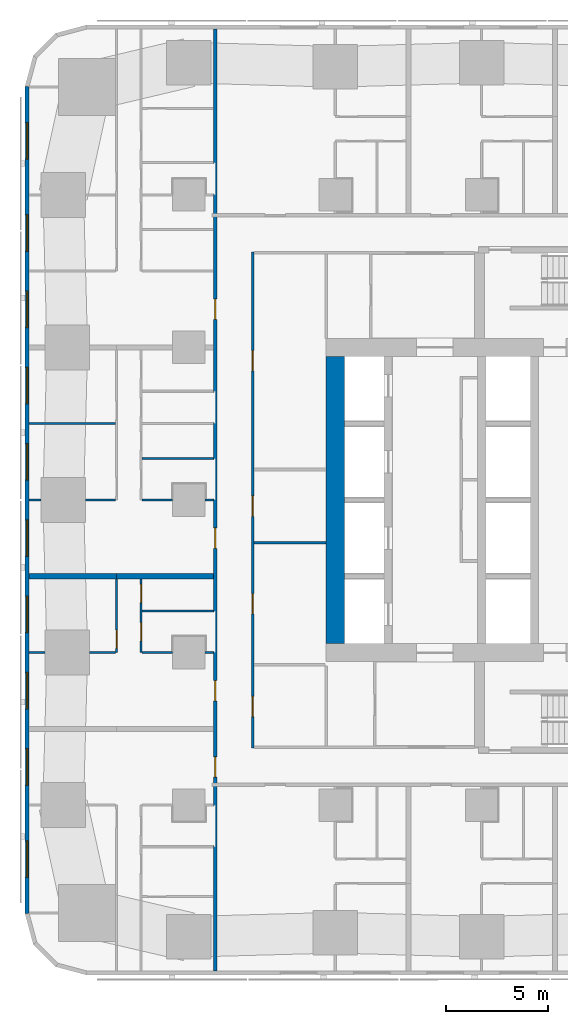
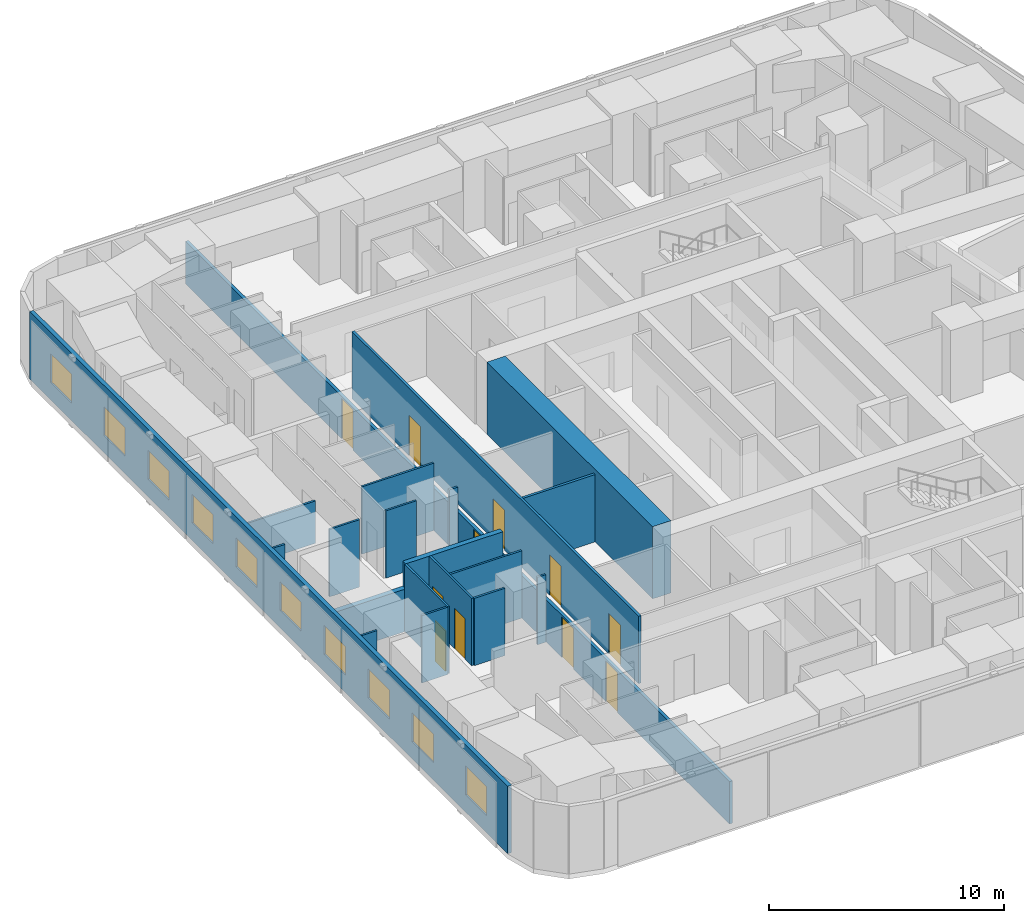
# One storey, part 5 of 16: 20 walls, 11 doors, 10 windows, 21 openings.
"""IFC4 building model written with IfcOpenShell, lengths in metres."""

from ifc_helpers import new_model, si_unit, direction, frame, frame_2d, origin, place, context, subcontext, project, spatial, rectangle, extrude, material, layer, layer_set, type_object, element, fill, save


model = new_model("IFC4")

# Units and contexts
model_context = context("Model", 3, precision=1e-05, world=origin(), true_north=direction((0.0, 1.0)))
body_context = subcontext(model_context, "Body", "Model", "MODEL_VIEW")
ifc_project = project(units=[si_unit("LENGTHUNIT", "METRE"), si_unit("AREAUNIT", "SQUARE_METRE"), si_unit("VOLUMEUNIT", "CUBIC_METRE"), si_unit("PLANEANGLEUNIT", "RADIAN"), si_unit("MASSUNIT", "GRAM", prefix="KILO")], contexts=[model_context])

# Site, building, storey
site_placement = place(None, origin())
site = spatial("IfcSite", under=ifc_project, at=site_placement, CompositionType="ELEMENT")
building_placement = place(site_placement, origin())
building = spatial("IfcBuilding", under=site, at=building_placement, Name="Sheger Commons Tower", CompositionType="ELEMENT")
storey_placement = place(building_placement, frame((0.0, 0.0, 89.14990234375)))
storey = spatial("IfcBuildingStorey", under=building, at=storey_placement, Name="L22", CompositionType="ELEMENT", Elevation=89.14990234375)

# Wall
ifc_material_1 = material(Name="Concrete C50/60", Category="concrete")
ifc_layer_1 = layer(ifc_material_1, 0.89990234375)
ifc_layer_set_1 = layer_set([ifc_layer_1], Name="CORE WALL 900")
wall_type_1 = type_object("IfcWallType", Name="CORE WALL 900", PredefinedType="SHEAR", material=ifc_layer_set_1)
wall_1_placement = place(storey_placement, frame((14.39990234375, 15.449951171875, 0.0), z_axis=(0.0, 0.0, 1.0), x_axis=(0.0, 1.0, 0.0)))
element("IfcWall", 1, at=wall_1_placement, inside=storey, type_object=wall_type_1, Name="Core wall west L22", PredefinedType="SHEAR", context=body_context, shape_type="SweptSolid", body=[
    extrude(rectangle(XDim=14.10009765625, YDim=0.89990234375, at=frame_2d((7.050048828125, 0.0))), origin(), (0.0, 0.0, 1.0), 3.75),
])

# Wall, openings, doors
ifc_material_2 = material(Name="Hollow concrete block masonry, skimmed both sides", Category="masonry")
ifc_layer_2 = layer(ifc_material_2, 0.14990234375)
ifc_layer_set_2 = layer_set([ifc_layer_2], Name="CORRIDOR WALL 150")
wall_type_2 = type_object("IfcWallType", Name="CORRIDOR WALL 150", PredefinedType="SOLIDWALL", material=ifc_layer_set_2)
wall_2_placement = place(storey_placement, frame((8.5, -0.64990234375, 0.0), z_axis=(0.0, 0.0, 1.0), x_axis=(0.0, 1.0, 0.0)))
wall_2 = element("IfcWall", 2, at=wall_2_placement, inside=storey, type_object=wall_type_2, Name="Corridor wall L22", PredefinedType="SOLIDWALL", context=body_context, shape_type="SweptSolid", body=[
    extrude(rectangle(XDim=46.2998046875, YDim=0.14990234375, at=frame_2d((23.14990234375, 0.0))), origin(), (0.0, 0.0, 1.0), 2.2001953125),
])
opening_1_placement = place(wall_2_placement, frame((9.52490234375, 0.0, 0.0)))
opening_1 = element("IfcOpeningElement", 3, at=opening_1_placement, cuts=wall_2, Name="Opening D1", PredefinedType="OPENING", context=body_context, shape_type="SweptSolid", body=[
    extrude(rectangle(XDim=1.0, YDim=2.10009765625, at=frame_2d((0.5, 1.050048828125))), frame((0.0, 0.0849609375, 0.0), z_axis=(0.0, -1.0, 0.0), x_axis=(1.0, 0.0, 0.0)), (0.0, 0.0, 1.0), 0.169921875),
])
opening_2_placement = place(wall_2_placement, frame((13.27490234375, 0.0, 0.0)))
opening_2 = element("IfcOpeningElement", 4, at=opening_2_placement, cuts=wall_2, Name="Opening D1", PredefinedType="OPENING", context=body_context, shape_type="SweptSolid", body=[
    extrude(rectangle(XDim=1.0, YDim=2.10009765625, at=frame_2d((0.5, 1.050048828125))), frame((0.0, 0.0849609375, 0.0), z_axis=(0.0, -1.0, 0.0), x_axis=(1.0, 0.0, 0.0)), (0.0, 0.0, 1.0), 0.169921875),
])
opening_3_placement = place(wall_2_placement, frame((20.77490234375, 0.0, 0.0)))
opening_3 = element("IfcOpeningElement", 5, at=opening_3_placement, cuts=wall_2, Name="Opening D1", PredefinedType="OPENING", context=body_context, shape_type="SweptSolid", body=[
    extrude(rectangle(XDim=1.0, YDim=2.10009765625, at=frame_2d((0.5, 1.050048828125))), frame((0.0, 0.0849609375, 0.0), z_axis=(0.0, -1.0, 0.0), x_axis=(1.0, 0.0, 0.0)), (0.0, 0.0, 1.0), 0.169921875),
])
opening_4_placement = place(wall_2_placement, frame((32.02490234375, 0.0, 0.0)))
opening_4 = element("IfcOpeningElement", 6, at=opening_4_placement, cuts=wall_2, Name="Opening D1", PredefinedType="OPENING", context=body_context, shape_type="SweptSolid", body=[
    extrude(rectangle(XDim=1.0, YDim=2.10009765625, at=frame_2d((0.5, 1.050048828125))), frame((0.0, 0.0849609375, 0.0), z_axis=(0.0, -1.0, 0.0), x_axis=(1.0, 0.0, 0.0)), (0.0, 0.0, 1.0), 0.169921875),
])
ifc_material_3 = material(Name="Steel door set, fire rated", Category="steel")
door_type_1 = type_object("IfcDoorType", Name="FLAT ENTRANCE DOOR 1000x2100", OperationType="NOTDEFINED", PredefinedType="DOOR", material=ifc_material_3)
door_1_placement = place(opening_1_placement, origin())
door_1 = element("IfcDoor", 7, at=door_1_placement, inside=storey, type_object=door_type_1, Name="Flat entrance door", OperationType="SINGLE_SWING_LEFT", OverallHeight=2.10009765625, OverallWidth=1.0, PredefinedType="DOOR", context=body_context, shape_type="SweptSolid", body=[
    extrude(rectangle(XDim=1.0, YDim=2.10009765625, at=frame_2d((0.5, 1.050048828125))), frame((0.0, 0.02490234375, 0.0), z_axis=(0.0, -1.0, 0.0), x_axis=(1.0, 0.0, 0.0)), (0.0, 0.0, 1.0), 0.050048828125),
])
fill(opening_1, door_1)
door_2_placement = place(opening_2_placement, origin())
door_2 = element("IfcDoor", 8, at=door_2_placement, inside=storey, type_object=door_type_1, Name="Flat entrance door", OperationType="SINGLE_SWING_RIGHT", OverallHeight=2.10009765625, OverallWidth=1.0, PredefinedType="DOOR", context=body_context, shape_type="SweptSolid", body=[
    extrude(rectangle(XDim=1.0, YDim=2.10009765625, at=frame_2d((0.5, 1.050048828125))), frame((0.0, 0.02490234375, 0.0), z_axis=(0.0, -1.0, 0.0), x_axis=(1.0, 0.0, 0.0)), (0.0, 0.0, 1.0), 0.050048828125),
])
fill(opening_2, door_2)
door_3_placement = place(opening_3_placement, origin())
door_3 = element("IfcDoor", 9, at=door_3_placement, inside=storey, type_object=door_type_1, Name="Flat entrance door", OperationType="SINGLE_SWING_LEFT", OverallHeight=2.10009765625, OverallWidth=1.0, PredefinedType="DOOR", context=body_context, shape_type="SweptSolid", body=[
    extrude(rectangle(XDim=1.0, YDim=2.10009765625, at=frame_2d((0.5, 1.050048828125))), frame((0.0, 0.02490234375, 0.0), z_axis=(0.0, -1.0, 0.0), x_axis=(1.0, 0.0, 0.0)), (0.0, 0.0, 1.0), 0.050048828125),
])
fill(opening_3, door_3)
door_4_placement = place(opening_4_placement, origin())
door_4 = element("IfcDoor", 10, at=door_4_placement, inside=storey, type_object=door_type_1, Name="Flat entrance door", OperationType="SINGLE_SWING_RIGHT", OverallHeight=2.10009765625, OverallWidth=1.0, PredefinedType="DOOR", context=body_context, shape_type="SweptSolid", body=[
    extrude(rectangle(XDim=1.0, YDim=2.10009765625, at=frame_2d((0.5, 1.050048828125))), frame((0.0, 0.02490234375, 0.0), z_axis=(0.0, -1.0, 0.0), x_axis=(1.0, 0.0, 0.0)), (0.0, 0.0, 1.0), 0.050048828125),
])
fill(opening_4, door_4)

# Walls
ifc_material_4 = material(Name="Dense concrete block masonry, plastered both sides (separating wall between flats)", Category="masonry")
ifc_layer_3 = layer(ifc_material_4, 0.25)
ifc_layer_set_3 = layer_set([ifc_layer_3], Name="DEMISING WALL 250")
wall_type_3 = type_object("IfcWallType", Name="DEMISING WALL 250", PredefinedType="SOLIDWALL", material=ifc_layer_set_3)
wall_3_placement = place(storey_placement, frame((-0.64990234375, 18.75, 0.0), z_axis=(0.0, 0.0, 1.0), x_axis=(1.0, 0.0, 0.0)))
element("IfcWall", 11, at=wall_3_placement, inside=storey, type_object=wall_type_3, Name="Demising wall L22", PredefinedType="SOLIDWALL", context=body_context, shape_type="SweptSolid", body=[
    extrude(rectangle(XDim=4.2998046875, YDim=0.25, at=frame_2d((2.14990234375, 0.0))), origin(), (0.0, 0.0, 1.0), 2.2001953125),
])
wall_4_placement = place(storey_placement, frame((3.64990234375, 18.75, 0.0), z_axis=(0.0, 0.0, 1.0), x_axis=(1.0, 0.0, 0.0)))
element("IfcWall", 12, at=wall_4_placement, inside=storey, type_object=wall_type_3, Name="Demising wall L22", PredefinedType="SOLIDWALL", context=body_context, shape_type="SweptSolid", body=[
    extrude(rectangle(XDim=4.775146484375, YDim=0.25, at=frame_2d((2.3876953125, 0.0))), origin(), (0.0, 0.0, 1.0), 3.5),
])

# Wall, openings, windows
ifc_material_5 = material(Name="Rendered concrete block masonry, dark grey", Category="masonry")
ifc_layer_4 = layer(ifc_material_5, 0.199951171875)
ifc_layer_set_4 = layer_set([ifc_layer_4], Name="FACADE WALL 200")
wall_type_4 = type_object("IfcWallType", Name="FACADE WALL 200", PredefinedType="SOLIDWALL", material=ifc_layer_set_4)
wall_5_placement = place(storey_placement, frame((-0.75, 42.8369140625, 0.0), z_axis=(0.0, 0.0, 1.0), x_axis=(0.0, -1.0, 0.0)))
wall_5 = element("IfcWall", 13, at=wall_5_placement, inside=storey, type_object=wall_type_4, Name="Facade wall L22", PredefinedType="SOLIDWALL", context=body_context, shape_type="SweptSolid", body=[
    extrude(rectangle(XDim=40.673828125, YDim=0.199951171875, at=frame_2d((20.3369140625, 0.0))), origin(), (0.0, 0.0, 1.0), 3.5),
])
opening_5_placement = place(wall_5_placement, frame((1.780029296875, 0.0, 0.89990234375)))
opening_5 = element("IfcOpeningElement", 14, at=opening_5_placement, cuts=wall_5, Name="Opening W2", PredefinedType="OPENING", context=body_context, shape_type="SweptSolid", body=[
    extrude(rectangle(XDim=1.800048828125, YDim=1.5, at=frame_2d((0.89990234375, 0.75))), frame((0.0, 0.10986328125, 0.0), z_axis=(0.0, -1.0, 0.0), x_axis=(1.0, 0.0, 0.0)), (0.0, 0.0, 1.0), 0.219970703125),
])
opening_6_placement = place(wall_5_placement, frame((6.31201171875, 0.0, 0.89990234375)))
opening_6 = element("IfcOpeningElement", 15, at=opening_6_placement, cuts=wall_5, Name="Opening W2", PredefinedType="OPENING", context=body_context, shape_type="SweptSolid", body=[
    extrude(rectangle(XDim=1.800048828125, YDim=1.5, at=frame_2d((0.89990234375, 0.75))), frame((0.0, 0.10986328125, 0.0), z_axis=(0.0, -1.0, 0.0), x_axis=(1.0, 0.0, 0.0)), (0.0, 0.0, 1.0), 0.219970703125),
])
opening_7_placement = place(wall_5_placement, frame((10.06201171875, 0.0, 0.89990234375)))
opening_7 = element("IfcOpeningElement", 16, at=opening_7_placement, cuts=wall_5, Name="Opening W2", PredefinedType="OPENING", context=body_context, shape_type="SweptSolid", body=[
    extrude(rectangle(XDim=1.800048828125, YDim=1.5, at=frame_2d((0.89990234375, 0.75))), frame((0.0, 0.10986328125, 0.0), z_axis=(0.0, -1.0, 0.0), x_axis=(1.0, 0.0, 0.0)), (0.0, 0.0, 1.0), 0.219970703125),
])
opening_8_placement = place(wall_5_placement, frame((13.81201171875, 0.0, 0.89990234375)))
opening_8 = element("IfcOpeningElement", 17, at=opening_8_placement, cuts=wall_5, Name="Opening W2", PredefinedType="OPENING", context=body_context, shape_type="SweptSolid", body=[
    extrude(rectangle(XDim=1.800048828125, YDim=1.5, at=frame_2d((0.89990234375, 0.75))), frame((0.0, 0.10986328125, 0.0), z_axis=(0.0, -1.0, 0.0), x_axis=(1.0, 0.0, 0.0)), (0.0, 0.0, 1.0), 0.219970703125),
])
opening_9_placement = place(wall_5_placement, frame((17.56201171875, 0.0, 0.89990234375)))
opening_9 = element("IfcOpeningElement", 18, at=opening_9_placement, cuts=wall_5, Name="Opening W2", PredefinedType="OPENING", context=body_context, shape_type="SweptSolid", body=[
    extrude(rectangle(XDim=1.800048828125, YDim=1.5, at=frame_2d((0.89990234375, 0.75))), frame((0.0, 0.10986328125, 0.0), z_axis=(0.0, -1.0, 0.0), x_axis=(1.0, 0.0, 0.0)), (0.0, 0.0, 1.0), 0.219970703125),
])
opening_10_placement = place(wall_5_placement, frame((21.31201171875, 0.0, 0.89990234375)))
opening_10 = element("IfcOpeningElement", 19, at=opening_10_placement, cuts=wall_5, Name="Opening W2", PredefinedType="OPENING", context=body_context, shape_type="SweptSolid", body=[
    extrude(rectangle(XDim=1.800048828125, YDim=1.5, at=frame_2d((0.89990234375, 0.75))), frame((0.0, 0.10986328125, 0.0), z_axis=(0.0, -1.0, 0.0), x_axis=(1.0, 0.0, 0.0)), (0.0, 0.0, 1.0), 0.219970703125),
])
opening_11_placement = place(wall_5_placement, frame((25.06201171875, 0.0, 0.89990234375)))
opening_11 = element("IfcOpeningElement", 20, at=opening_11_placement, cuts=wall_5, Name="Opening W2", PredefinedType="OPENING", context=body_context, shape_type="SweptSolid", body=[
    extrude(rectangle(XDim=1.800048828125, YDim=1.5, at=frame_2d((0.89990234375, 0.75))), frame((0.0, 0.10986328125, 0.0), z_axis=(0.0, -1.0, 0.0), x_axis=(1.0, 0.0, 0.0)), (0.0, 0.0, 1.0), 0.219970703125),
])
opening_12_placement = place(wall_5_placement, frame((28.81201171875, 0.0, 0.89990234375)))
opening_12 = element("IfcOpeningElement", 21, at=opening_12_placement, cuts=wall_5, Name="Opening W2", PredefinedType="OPENING", context=body_context, shape_type="SweptSolid", body=[
    extrude(rectangle(XDim=1.800048828125, YDim=1.5, at=frame_2d((0.89990234375, 0.75))), frame((0.0, 0.10986328125, 0.0), z_axis=(0.0, -1.0, 0.0), x_axis=(1.0, 0.0, 0.0)), (0.0, 0.0, 1.0), 0.219970703125),
])
opening_13_placement = place(wall_5_placement, frame((32.56201171875, 0.0, 0.89990234375)))
opening_13 = element("IfcOpeningElement", 22, at=opening_13_placement, cuts=wall_5, Name="Opening W2", PredefinedType="OPENING", context=body_context, shape_type="SweptSolid", body=[
    extrude(rectangle(XDim=1.800048828125, YDim=1.5, at=frame_2d((0.89990234375, 0.75))), frame((0.0, 0.10986328125, 0.0), z_axis=(0.0, -1.0, 0.0), x_axis=(1.0, 0.0, 0.0)), (0.0, 0.0, 1.0), 0.219970703125),
])
opening_14_placement = place(wall_5_placement, frame((37.093994140625, 0.0, 0.89990234375)))
opening_14 = element("IfcOpeningElement", 23, at=opening_14_placement, cuts=wall_5, Name="Opening W2", PredefinedType="OPENING", context=body_context, shape_type="SweptSolid", body=[
    extrude(rectangle(XDim=1.800048828125, YDim=1.5, at=frame_2d((0.89990234375, 0.75))), frame((0.0, 0.10986328125, 0.0), z_axis=(0.0, -1.0, 0.0), x_axis=(1.0, 0.0, 0.0)), (0.0, 0.0, 1.0), 0.219970703125),
])
ifc_material_6 = material(Name="Black aluminium frame, dark tinted double glazing", Category="aluminium")
window_type = type_object("IfcWindowType", Name="WINDOW W2 1800x1500", PartitioningType="SINGLE_PANEL", PredefinedType="WINDOW", material=ifc_material_6)
window_1_placement = place(opening_5_placement, origin())
window_1 = element("IfcWindow", 24, at=window_1_placement, inside=storey, type_object=window_type, Name="Window W2 1800X1500", OverallHeight=1.5, OverallWidth=1.800048828125, PartitioningType="SINGLE_PANEL", PredefinedType="WINDOW", context=body_context, shape_type="SweptSolid", body=[
    extrude(rectangle(XDim=1.800048828125, YDim=1.5, at=frame_2d((0.89990234375, 0.75))), frame((0.0, 0.030029296875, 0.0), z_axis=(0.0, -1.0, 0.0), x_axis=(1.0, 0.0, 0.0)), (0.0, 0.0, 1.0), 0.06005859375),
])
fill(opening_5, window_1)
window_2_placement = place(opening_6_placement, origin())
window_2 = element("IfcWindow", 25, at=window_2_placement, inside=storey, type_object=window_type, Name="Window W2 1800X1500", OverallHeight=1.5, OverallWidth=1.800048828125, PartitioningType="SINGLE_PANEL", PredefinedType="WINDOW", context=body_context, shape_type="SweptSolid", body=[
    extrude(rectangle(XDim=1.800048828125, YDim=1.5, at=frame_2d((0.89990234375, 0.75))), frame((0.0, 0.030029296875, 0.0), z_axis=(0.0, -1.0, 0.0), x_axis=(1.0, 0.0, 0.0)), (0.0, 0.0, 1.0), 0.06005859375),
])
fill(opening_6, window_2)
window_3_placement = place(opening_7_placement, origin())
window_3 = element("IfcWindow", 26, at=window_3_placement, inside=storey, type_object=window_type, Name="Window W2 1800X1500", OverallHeight=1.5, OverallWidth=1.800048828125, PartitioningType="SINGLE_PANEL", PredefinedType="WINDOW", context=body_context, shape_type="SweptSolid", body=[
    extrude(rectangle(XDim=1.800048828125, YDim=1.5, at=frame_2d((0.89990234375, 0.75))), frame((0.0, 0.030029296875, 0.0), z_axis=(0.0, -1.0, 0.0), x_axis=(1.0, 0.0, 0.0)), (0.0, 0.0, 1.0), 0.06005859375),
])
fill(opening_7, window_3)
window_4_placement = place(opening_8_placement, origin())
window_4 = element("IfcWindow", 27, at=window_4_placement, inside=storey, type_object=window_type, Name="Window W2 1800X1500", OverallHeight=1.5, OverallWidth=1.800048828125, PartitioningType="SINGLE_PANEL", PredefinedType="WINDOW", context=body_context, shape_type="SweptSolid", body=[
    extrude(rectangle(XDim=1.800048828125, YDim=1.5, at=frame_2d((0.89990234375, 0.75))), frame((0.0, 0.030029296875, 0.0), z_axis=(0.0, -1.0, 0.0), x_axis=(1.0, 0.0, 0.0)), (0.0, 0.0, 1.0), 0.06005859375),
])
fill(opening_8, window_4)
window_5_placement = place(opening_9_placement, origin())
window_5 = element("IfcWindow", 28, at=window_5_placement, inside=storey, type_object=window_type, Name="Window W2 1800X1500", OverallHeight=1.5, OverallWidth=1.800048828125, PartitioningType="SINGLE_PANEL", PredefinedType="WINDOW", context=body_context, shape_type="SweptSolid", body=[
    extrude(rectangle(XDim=1.800048828125, YDim=1.5, at=frame_2d((0.89990234375, 0.75))), frame((0.0, 0.030029296875, 0.0), z_axis=(0.0, -1.0, 0.0), x_axis=(1.0, 0.0, 0.0)), (0.0, 0.0, 1.0), 0.06005859375),
])
fill(opening_9, window_5)
window_6_placement = place(opening_10_placement, origin())
window_6 = element("IfcWindow", 29, at=window_6_placement, inside=storey, type_object=window_type, Name="Window W2 1800X1500", OverallHeight=1.5, OverallWidth=1.800048828125, PartitioningType="SINGLE_PANEL", PredefinedType="WINDOW", context=body_context, shape_type="SweptSolid", body=[
    extrude(rectangle(XDim=1.800048828125, YDim=1.5, at=frame_2d((0.89990234375, 0.75))), frame((0.0, 0.030029296875, 0.0), z_axis=(0.0, -1.0, 0.0), x_axis=(1.0, 0.0, 0.0)), (0.0, 0.0, 1.0), 0.06005859375),
])
fill(opening_10, window_6)
window_7_placement = place(opening_11_placement, origin())
window_7 = element("IfcWindow", 30, at=window_7_placement, inside=storey, type_object=window_type, Name="Window W2 1800X1500", OverallHeight=1.5, OverallWidth=1.800048828125, PartitioningType="SINGLE_PANEL", PredefinedType="WINDOW", context=body_context, shape_type="SweptSolid", body=[
    extrude(rectangle(XDim=1.800048828125, YDim=1.5, at=frame_2d((0.89990234375, 0.75))), frame((0.0, 0.030029296875, 0.0), z_axis=(0.0, -1.0, 0.0), x_axis=(1.0, 0.0, 0.0)), (0.0, 0.0, 1.0), 0.06005859375),
])
fill(opening_11, window_7)
window_8_placement = place(opening_12_placement, origin())
window_8 = element("IfcWindow", 31, at=window_8_placement, inside=storey, type_object=window_type, Name="Window W2 1800X1500", OverallHeight=1.5, OverallWidth=1.800048828125, PartitioningType="SINGLE_PANEL", PredefinedType="WINDOW", context=body_context, shape_type="SweptSolid", body=[
    extrude(rectangle(XDim=1.800048828125, YDim=1.5, at=frame_2d((0.89990234375, 0.75))), frame((0.0, 0.030029296875, 0.0), z_axis=(0.0, -1.0, 0.0), x_axis=(1.0, 0.0, 0.0)), (0.0, 0.0, 1.0), 0.06005859375),
])
fill(opening_12, window_8)
window_9_placement = place(opening_13_placement, origin())
window_9 = element("IfcWindow", 32, at=window_9_placement, inside=storey, type_object=window_type, Name="Window W2 1800X1500", OverallHeight=1.5, OverallWidth=1.800048828125, PartitioningType="SINGLE_PANEL", PredefinedType="WINDOW", context=body_context, shape_type="SweptSolid", body=[
    extrude(rectangle(XDim=1.800048828125, YDim=1.5, at=frame_2d((0.89990234375, 0.75))), frame((0.0, 0.030029296875, 0.0), z_axis=(0.0, -1.0, 0.0), x_axis=(1.0, 0.0, 0.0)), (0.0, 0.0, 1.0), 0.06005859375),
])
fill(opening_13, window_9)
window_10_placement = place(opening_14_placement, origin())
window_10 = element("IfcWindow", 33, at=window_10_placement, inside=storey, type_object=window_type, Name="Window W2 1800X1500", OverallHeight=1.5, OverallWidth=1.800048828125, PartitioningType="SINGLE_PANEL", PredefinedType="WINDOW", context=body_context, shape_type="SweptSolid", body=[
    extrude(rectangle(XDim=1.800048828125, YDim=1.5, at=frame_2d((0.89990234375, 0.75))), frame((0.0, 0.030029296875, 0.0), z_axis=(0.0, -1.0, 0.0), x_axis=(1.0, 0.0, 0.0)), (0.0, 0.0, 1.0), 0.06005859375),
])
fill(opening_14, window_10)

# Wall, opening, door
ifc_material_7 = material(Name="Gypsum board on steel studs", Category="steel")
ifc_layer_5 = layer(ifc_material_7, 0.10009765625)
ifc_layer_set_5 = layer_set([ifc_layer_5], Name="PARTITION 100")
wall_type_5 = type_object("IfcWallType", Name="PARTITION 100", PredefinedType="PARTITIONING", material=ifc_layer_set_5)
wall_6_placement = place(storey_placement, frame((3.64990234375, 15.0, 0.0), z_axis=(0.0, 0.0, 1.0), x_axis=(0.0, 1.0, 0.0)))
wall_6 = element("IfcWall", 34, at=wall_6_placement, inside=storey, type_object=wall_type_5, Name="Partition L22", PredefinedType="PARTITIONING", context=body_context, shape_type="SweptSolid", body=[
    extrude(rectangle(XDim=3.625, YDim=0.10009765625, at=frame_2d((1.8125, 0.0))), origin(), (0.0, 0.0, 1.0), 3.5),
])
opening_15_placement = place(wall_6_placement, frame((0.199951171875, 0.0, 0.0)))
opening_15 = element("IfcOpeningElement", 35, at=opening_15_placement, cuts=wall_6, Name="Opening D2", PredefinedType="OPENING", context=body_context, shape_type="SweptSolid", body=[
    extrude(rectangle(XDim=0.89990234375, YDim=2.10009765625, at=frame_2d((0.449951171875, 1.050048828125))), frame((0.0, 0.06005859375, 0.0), z_axis=(0.0, -1.0, 0.0), x_axis=(1.0, 0.0, 0.0)), (0.0, 0.0, 1.0), 0.1201171875),
])
ifc_material_8 = material(Name="Timber door set", Category="wood")
door_type_2 = type_object("IfcDoorType", Name="INTERNAL DOOR 900x2100", OperationType="NOTDEFINED", PredefinedType="DOOR", material=ifc_material_8)
door_5_placement = place(opening_15_placement, origin())
door_5 = element("IfcDoor", 36, at=door_5_placement, inside=storey, type_object=door_type_2, Name="Main bedroom door", OperationType="SINGLE_SWING_LEFT", OverallHeight=2.10009765625, OverallWidth=0.89990234375, PredefinedType="DOOR", context=body_context, shape_type="SweptSolid", body=[
    extrude(rectangle(XDim=0.89990234375, YDim=2.10009765625, at=frame_2d((0.449951171875, 1.050048828125))), frame((0.0, 0.02490234375, 0.0), z_axis=(0.0, -1.0, 0.0), x_axis=(1.0, 0.0, 0.0)), (0.0, 0.0, 1.0), 0.050048828125),
])
fill(opening_15, door_5)

# Wall, openings, doors
wall_7_placement = place(storey_placement, frame((4.85009765625, 15.0, 0.0), z_axis=(0.0, 0.0, 1.0), x_axis=(0.0, 1.0, 0.0)))
wall_7 = element("IfcWall", 37, at=wall_7_placement, inside=storey, type_object=wall_type_5, Name="Partition L22", PredefinedType="PARTITIONING", context=body_context, shape_type="SweptSolid", body=[
    extrude(rectangle(XDim=3.625, YDim=0.10009765625, at=frame_2d((1.8125, 0.0))), origin(), (0.0, 0.0, 1.0), 3.5),
])
opening_16_placement = place(wall_7_placement, frame((0.574951171875, 0.0, 0.0)))
opening_16 = element("IfcOpeningElement", 38, at=opening_16_placement, cuts=wall_7, Name="Opening D2", PredefinedType="OPENING", context=body_context, shape_type="SweptSolid", body=[
    extrude(rectangle(XDim=0.89990234375, YDim=2.10009765625, at=frame_2d((0.449951171875, 1.050048828125))), frame((0.0, 0.06005859375, 0.0), z_axis=(0.0, -1.0, 0.0), x_axis=(1.0, 0.0, 0.0)), (0.0, 0.0, 1.0), 0.1201171875),
])
opening_17_placement = place(wall_7_placement, frame((2.449951171875, 0.0, 0.0)))
opening_17 = element("IfcOpeningElement", 39, at=opening_17_placement, cuts=wall_7, Name="Opening D2", PredefinedType="OPENING", context=body_context, shape_type="SweptSolid", body=[
    extrude(rectangle(XDim=0.89990234375, YDim=2.10009765625, at=frame_2d((0.449951171875, 1.050048828125))), frame((0.0, 0.06005859375, 0.0), z_axis=(0.0, -1.0, 0.0), x_axis=(1.0, 0.0, 0.0)), (0.0, 0.0, 1.0), 0.1201171875),
])
door_6_placement = place(opening_16_placement, origin())
door_6 = element("IfcDoor", 40, at=door_6_placement, inside=storey, type_object=door_type_2, Name="Bathroom door", OperationType="SINGLE_SWING_RIGHT", OverallHeight=2.10009765625, OverallWidth=0.89990234375, PredefinedType="DOOR", context=body_context, shape_type="SweptSolid", body=[
    extrude(rectangle(XDim=0.89990234375, YDim=2.10009765625, at=frame_2d((0.449951171875, 1.050048828125))), frame((0.0, 0.02490234375, 0.0), z_axis=(0.0, -1.0, 0.0), x_axis=(1.0, 0.0, 0.0)), (0.0, 0.0, 1.0), 0.050048828125),
])
fill(opening_16, door_6)
door_7_placement = place(opening_17_placement, origin())
door_7 = element("IfcDoor", 41, at=door_7_placement, inside=storey, type_object=door_type_2, Name="Store door", OperationType="SINGLE_SWING_LEFT", OverallHeight=2.10009765625, OverallWidth=0.89990234375, PredefinedType="DOOR", context=body_context, shape_type="SweptSolid", body=[
    extrude(rectangle(XDim=0.89990234375, YDim=2.10009765625, at=frame_2d((0.449951171875, 1.050048828125))), frame((0.0, 0.02490234375, 0.0), z_axis=(0.0, -1.0, 0.0), x_axis=(1.0, 0.0, 0.0)), (0.0, 0.0, 1.0), 0.050048828125),
])
fill(opening_17, door_7)

# Walls
wall_8_placement = place(storey_placement, frame((-0.64990234375, 15.0, 0.0), z_axis=(0.0, 0.0, 1.0), x_axis=(1.0, 0.0, 0.0)))
element("IfcWall", 42, at=wall_8_placement, inside=storey, type_object=wall_type_5, Name="Partition L22", PredefinedType="PARTITIONING", context=body_context, shape_type="SweptSolid", body=[
    extrude(rectangle(XDim=0.77392578125, YDim=0.10009765625, at=frame_2d((0.386962890625, 0.0))), origin(), (0.0, 0.0, 1.0), 3.5),
])
wall_9_placement = place(storey_placement, frame((2.325927734375, 15.0, 0.0), z_axis=(0.0, 0.0, 1.0), x_axis=(1.0, 0.0, 0.0)))
element("IfcWall", 43, at=wall_9_placement, inside=storey, type_object=wall_type_5, Name="Partition L22", PredefinedType="PARTITIONING", context=body_context, shape_type="SweptSolid", body=[
    extrude(rectangle(XDim=1.274169921875, YDim=0.10009765625, at=frame_2d((0.63720703125, 0.0))), origin(), (0.0, 0.0, 1.0), 3.5),
])
wall_10_placement = place(storey_placement, frame((4.89990234375, 15.0, 0.0), z_axis=(0.0, 0.0, 1.0), x_axis=(1.0, 0.0, 0.0)))
element("IfcWall", 44, at=wall_10_placement, inside=storey, type_object=wall_type_5, Name="Partition L22", PredefinedType="PARTITIONING", context=body_context, shape_type="SweptSolid", body=[
    extrude(rectangle(XDim=1.4990234375, YDim=0.10009765625, at=frame_2d((0.74951171875, 0.0))), origin(), (0.0, 0.0, 1.0), 3.5),
])
wall_11_placement = place(storey_placement, frame((8.0009765625, 15.0, 0.0), z_axis=(0.0, 0.0, 1.0), x_axis=(1.0, 0.0, 0.0)))
element("IfcWall", 45, at=wall_11_placement, inside=storey, type_object=wall_type_5, Name="Partition L22", PredefinedType="PARTITIONING", context=body_context, shape_type="SweptSolid", body=[
    extrude(rectangle(XDim=0.424072265625, YDim=0.10009765625, at=frame_2d((0.2119140625, 0.0))), origin(), (0.0, 0.0, 1.0), 3.5),
])
wall_12_placement = place(storey_placement, frame((4.89990234375, 17.050048828125, 0.0), z_axis=(0.0, 0.0, 1.0), x_axis=(1.0, 0.0, 0.0)))
element("IfcWall", 46, at=wall_12_placement, inside=storey, type_object=wall_type_5, Name="Partition L22", PredefinedType="PARTITIONING", context=body_context, shape_type="SweptSolid", body=[
    extrude(rectangle(XDim=3.525146484375, YDim=0.10009765625, at=frame_2d((1.7626953125, 0.0))), origin(), (0.0, 0.0, 1.0), 3.5),
])
wall_13_placement = place(storey_placement, frame((-0.64990234375, 22.5, 0.0), z_axis=(0.0, 0.0, 1.0), x_axis=(1.0, 0.0, 0.0)))
element("IfcWall", 47, at=wall_13_placement, inside=storey, type_object=wall_type_5, Name="Partition L22", PredefinedType="PARTITIONING", context=body_context, shape_type="SweptSolid", body=[
    extrude(rectangle(XDim=0.573974609375, YDim=0.10009765625, at=frame_2d((0.287109375, 0.0))), origin(), (0.0, 0.0, 1.0), 3.5),
])
wall_14_placement = place(storey_placement, frame((2.1259765625, 22.5, 0.0), z_axis=(0.0, 0.0, 1.0), x_axis=(1.0, 0.0, 0.0)))
element("IfcWall", 48, at=wall_14_placement, inside=storey, type_object=wall_type_5, Name="Partition L22", PredefinedType="PARTITIONING", context=body_context, shape_type="SweptSolid", body=[
    extrude(rectangle(XDim=1.47412109375, YDim=0.10009765625, at=frame_2d((0.737060546875, 0.0))), origin(), (0.0, 0.0, 1.0), 3.5),
])
wall_15_placement = place(storey_placement, frame((-0.64990234375, 26.25, 0.0), z_axis=(0.0, 0.0, 1.0), x_axis=(1.0, 0.0, 0.0)))
element("IfcWall", 49, at=wall_15_placement, inside=storey, type_object=wall_type_5, Name="Partition L22", PredefinedType="PARTITIONING", context=body_context, shape_type="SweptSolid", body=[
    extrude(rectangle(XDim=4.25, YDim=0.10009765625, at=frame_2d((2.125, 0.0))), origin(), (0.0, 0.0, 1.0), 2.2001953125),
])
wall_16_placement = place(storey_placement, frame((4.89990234375, 22.5, 0.0), z_axis=(0.0, 0.0, 1.0), x_axis=(1.0, 0.0, 0.0)))
element("IfcWall", 50, at=wall_16_placement, inside=storey, type_object=wall_type_5, Name="Partition L22", PredefinedType="PARTITIONING", context=body_context, shape_type="SweptSolid", body=[
    extrude(rectangle(XDim=1.4990234375, YDim=0.10009765625, at=frame_2d((0.74951171875, 0.0))), origin(), (0.0, 0.0, 1.0), 3.5),
])
wall_17_placement = place(storey_placement, frame((8.0009765625, 22.5, 0.0), z_axis=(0.0, 0.0, 1.0), x_axis=(1.0, 0.0, 0.0)))
element("IfcWall", 51, at=wall_17_placement, inside=storey, type_object=wall_type_5, Name="Partition L22", PredefinedType="PARTITIONING", context=body_context, shape_type="SweptSolid", body=[
    extrude(rectangle(XDim=0.424072265625, YDim=0.10009765625, at=frame_2d((0.2119140625, 0.0))), origin(), (0.0, 0.0, 1.0), 3.5),
])
wall_18_placement = place(storey_placement, frame((4.89990234375, 24.550048828125, 0.0), z_axis=(0.0, 0.0, 1.0), x_axis=(1.0, 0.0, 0.0)))
element("IfcWall", 52, at=wall_18_placement, inside=storey, type_object=wall_type_5, Name="Partition L22", PredefinedType="PARTITIONING", context=body_context, shape_type="SweptSolid", body=[
    extrude(rectangle(XDim=3.525146484375, YDim=0.10009765625, at=frame_2d((1.7626953125, 0.0))), origin(), (0.0, 0.0, 1.0), 3.5),
])

# Wall, openings, doors
ifc_material_9 = material(Name="Gypsum board on steel studs, two layers each side, fire rated", Category="steel")
ifc_layer_6 = layer(ifc_material_9, 0.125)
ifc_layer_set_6 = layer_set([ifc_layer_6], Name="SERVICE WALL 125")
wall_type_6 = type_object("IfcWallType", Name="SERVICE WALL 125", PredefinedType="PARTITIONING", material=ifc_layer_set_6)
wall_19_placement = place(storey_placement, frame((10.35009765625, 10.300048828125, 0.0), z_axis=(0.0, 0.0, 1.0), x_axis=(0.0, 1.0, 0.0)))
wall_19 = element("IfcWall", 53, at=wall_19_placement, inside=storey, type_object=wall_type_6, Name="Service room wall L22", PredefinedType="PARTITIONING", context=body_context, shape_type="SweptSolid", body=[
    extrude(rectangle(XDim=24.39990234375, YDim=0.125, at=frame_2d((12.199951171875, 0.0))), origin(), (0.0, 0.0, 1.0), 3.5),
])
opening_18_placement = place(wall_19_placement, frame((1.550048828125, 0.0, 0.0)))
opening_18 = element("IfcOpeningElement", 54, at=opening_18_placement, cuts=wall_19, Name="Opening D4", PredefinedType="OPENING", context=body_context, shape_type="SweptSolid", body=[
    extrude(rectangle(XDim=1.0, YDim=2.10009765625, at=frame_2d((0.5, 1.050048828125))), frame((0.0, 0.072509765625, 0.0), z_axis=(0.0, -1.0, 0.0), x_axis=(1.0, 0.0, 0.0)), (0.0, 0.0, 1.0), 0.14501953125),
])
opening_19_placement = place(wall_19_placement, frame((6.60009765625, 0.0, 0.0)))
opening_19 = element("IfcOpeningElement", 55, at=opening_19_placement, cuts=wall_19, Name="Opening D4", PredefinedType="OPENING", context=body_context, shape_type="SweptSolid", body=[
    extrude(rectangle(XDim=1.0, YDim=2.10009765625, at=frame_2d((0.5, 1.050048828125))), frame((0.0, 0.072509765625, 0.0), z_axis=(0.0, -1.0, 0.0), x_axis=(1.0, 0.0, 0.0)), (0.0, 0.0, 1.0), 0.14501953125),
])
opening_20_placement = place(wall_19_placement, frame((11.39990234375, 0.0, 0.0)))
opening_20 = element("IfcOpeningElement", 56, at=opening_20_placement, cuts=wall_19, Name="Opening D4", PredefinedType="OPENING", context=body_context, shape_type="SweptSolid", body=[
    extrude(rectangle(XDim=1.0, YDim=2.10009765625, at=frame_2d((0.5, 1.050048828125))), frame((0.0, 0.072509765625, 0.0), z_axis=(0.0, -1.0, 0.0), x_axis=(1.0, 0.0, 0.0)), (0.0, 0.0, 1.0), 0.14501953125),
])
opening_21_placement = place(wall_19_placement, frame((18.550048828125, 0.0, 0.0)))
opening_21 = element("IfcOpeningElement", 57, at=opening_21_placement, cuts=wall_19, Name="Opening D4", PredefinedType="OPENING", context=body_context, shape_type="SweptSolid", body=[
    extrude(rectangle(XDim=1.0, YDim=2.10009765625, at=frame_2d((0.5, 1.050048828125))), frame((0.0, 0.072509765625, 0.0), z_axis=(0.0, -1.0, 0.0), x_axis=(1.0, 0.0, 0.0)), (0.0, 0.0, 1.0), 0.14501953125),
])
ifc_material_10 = material(Name="Steel door set, fire rated", Category="steel")
door_type_3 = type_object("IfcDoorType", Name="SERVICE DOOR 1000x2100", OperationType="NOTDEFINED", PredefinedType="DOOR", material=ifc_material_10)
door_8_placement = place(opening_18_placement, origin())
door_8 = element("IfcDoor", 58, at=door_8_placement, inside=storey, type_object=door_type_3, Name="Refuse chute room door", OperationType="SINGLE_SWING_RIGHT", OverallHeight=2.10009765625, OverallWidth=1.0, PredefinedType="DOOR", context=body_context, shape_type="SweptSolid", body=[
    extrude(rectangle(XDim=1.0, YDim=2.10009765625, at=frame_2d((0.5, 1.050048828125))), frame((0.0, 0.02490234375, 0.0), z_axis=(0.0, -1.0, 0.0), x_axis=(1.0, 0.0, 0.0)), (0.0, 0.0, 1.0), 0.050048828125),
])
fill(opening_18, door_8)
door_9_placement = place(opening_19_placement, origin())
door_9 = element("IfcDoor", 59, at=door_9_placement, inside=storey, type_object=door_type_3, Name="Parcel and delivery room door", OperationType="SINGLE_SWING_LEFT", OverallHeight=2.10009765625, OverallWidth=1.0, PredefinedType="DOOR", context=body_context, shape_type="SweptSolid", body=[
    extrude(rectangle(XDim=1.0, YDim=2.10009765625, at=frame_2d((0.5, 1.050048828125))), frame((0.0, 0.02490234375, 0.0), z_axis=(0.0, -1.0, 0.0), x_axis=(1.0, 0.0, 0.0)), (0.0, 0.0, 1.0), 0.050048828125),
])
fill(opening_19, door_9)
door_10_placement = place(opening_20_placement, origin())
door_10 = element("IfcDoor", 60, at=door_10_placement, inside=storey, type_object=door_type_3, Name="Cleaner's store door", OperationType="SINGLE_SWING_LEFT", OverallHeight=2.10009765625, OverallWidth=1.0, PredefinedType="DOOR", context=body_context, shape_type="SweptSolid", body=[
    extrude(rectangle(XDim=1.0, YDim=2.10009765625, at=frame_2d((0.5, 1.050048828125))), frame((0.0, 0.02490234375, 0.0), z_axis=(0.0, -1.0, 0.0), x_axis=(1.0, 0.0, 0.0)), (0.0, 0.0, 1.0), 0.050048828125),
])
fill(opening_20, door_10)
door_11_placement = place(opening_21_placement, origin())
door_11 = element("IfcDoor", 61, at=door_11_placement, inside=storey, type_object=door_type_3, Name="Residents' gym door", OperationType="SINGLE_SWING_LEFT", OverallHeight=2.10009765625, OverallWidth=1.0, PredefinedType="DOOR", context=body_context, shape_type="SweptSolid", body=[
    extrude(rectangle(XDim=1.0, YDim=2.10009765625, at=frame_2d((0.5, 1.050048828125))), frame((0.0, 0.02490234375, 0.0), z_axis=(0.0, -1.0, 0.0), x_axis=(1.0, 0.0, 0.0)), (0.0, 0.0, 1.0), 0.050048828125),
])
fill(opening_21, door_11)

# Wall
wall_20_placement = place(storey_placement, frame((10.4130859375, 20.39990234375, 0.0), z_axis=(0.0, 0.0, 1.0), x_axis=(1.0, 0.0, 0.0)))
element("IfcWall", 62, at=wall_20_placement, inside=storey, type_object=wall_type_6, Name="Service room wall L22", PredefinedType="PARTITIONING", context=body_context, shape_type="SweptSolid", body=[
    extrude(rectangle(XDim=3.536865234375, YDim=0.125, at=frame_2d((1.7685546875, 0.0))), origin(), (0.0, 0.0, 1.0), 3.5),
])

save(model, "model.ifc")
